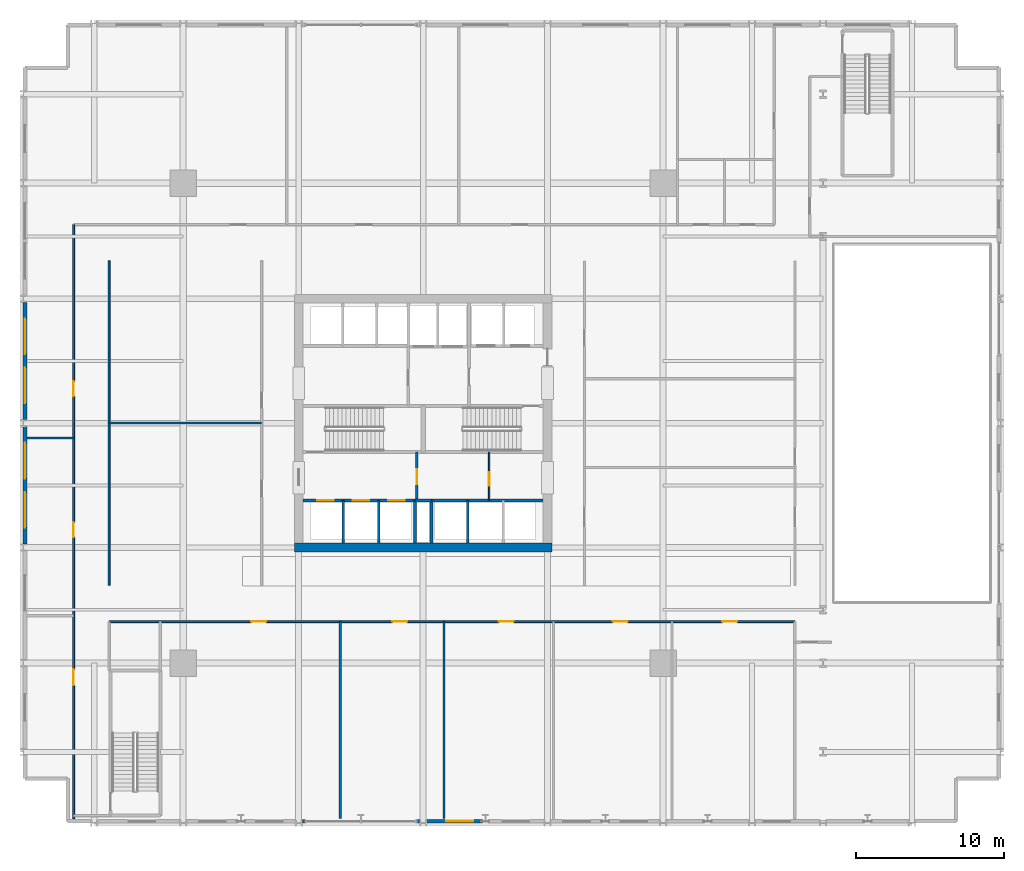
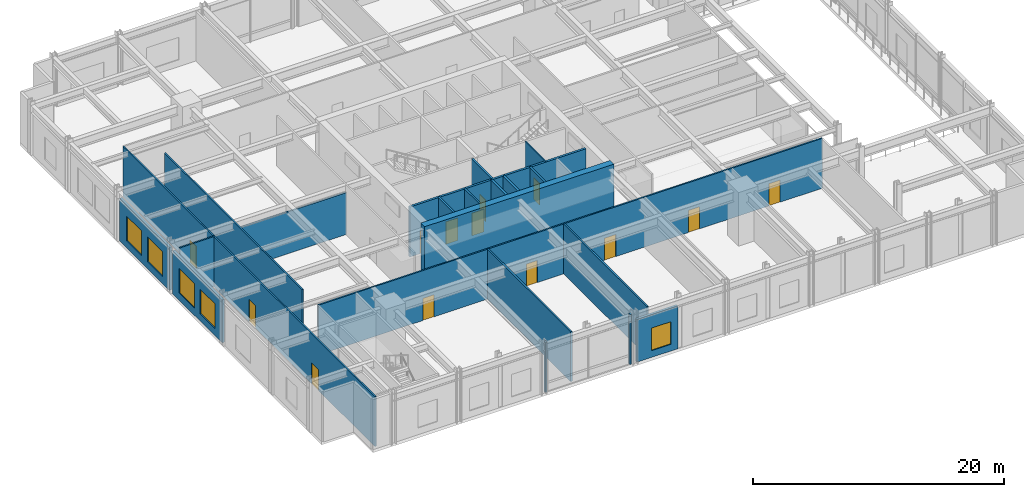
# One storey, part 11 of 21: 23 walls, 13 doors, 5 windows, 18 openings.
"""IFC4 building model written with IfcOpenShell, lengths in metres."""

from ifc_helpers import new_model, si_unit, direction, frame, frame_2d, origin, place, context, subcontext, project, spatial, rectangle, extrude, material, layer, layer_set, type_object, element, fill, save


model = new_model("IFC4")

# Units and contexts
model_context = context("Model", 3, precision=1e-05, world=origin(), true_north=direction((0.0, 1.0)))
body_context = subcontext(model_context, "Body", "Model", "MODEL_VIEW")
ifc_project = project(units=[si_unit("LENGTHUNIT", "METRE"), si_unit("AREAUNIT", "SQUARE_METRE"), si_unit("VOLUMEUNIT", "CUBIC_METRE"), si_unit("PLANEANGLEUNIT", "RADIAN"), si_unit("MASSUNIT", "GRAM", prefix="KILO")], contexts=[model_context])

# Site, building, storey
site_placement = place(None, origin())
site = spatial("IfcSite", under=ifc_project, at=site_placement, CompositionType="ELEMENT")
building_placement = place(site_placement, origin())
building = spatial("IfcBuilding", under=site, at=building_placement, Name="Drelvath Grand Hotel", CompositionType="ELEMENT")
storey_placement = place(building_placement, frame((0.0, 0.0, 22.39990234375)))
storey = spatial("IfcBuildingStorey", under=building, at=storey_placement, Name="L04", CompositionType="ELEMENT", Elevation=22.39990234375)

# Wall, opening, door
ifc_material_1 = material(Name="Gypsum Partition Board")
ifc_layer_1 = layer(ifc_material_1, 0.10009765625)
ifc_layer_set_1 = layer_set([ifc_layer_1], Name="Gypsum Partition Board")
wall_type_1 = type_object("IfcWallType", Name="Core Closet Partition 100", PredefinedType="PARTITIONING", material=ifc_layer_set_1)
wall_1_placement = place(storey_placement, frame((4.4599609375, 21.780029296875, 0.0), z_axis=(0.0, 0.0, 1.0), x_axis=(0.0, 1.0, 0.0)))
wall_1 = element("IfcWall", 1, at=wall_1_placement, inside=storey, type_object=wall_type_1, Name="L04 Housekeeping Split Wall", PredefinedType="PARTITIONING", context=body_context, shape_type="SweptSolid", body=[
    extrude(rectangle(XDim=3.260009765625, YDim=0.10009765625, at=frame_2d((1.6298828125, 0.0))), origin(), (0.0, 0.0, 1.0), 4.85009765625),
])
opening_1_placement = place(wall_1_placement, frame((1.0, 0.0, 0.0)))
opening_1 = element("IfcOpeningElement", 2, at=opening_1_placement, cuts=wall_1, Name="Opening D-L04-015", PredefinedType="OPENING", context=body_context, shape_type="SweptSolid", body=[
    extrude(rectangle(XDim=0.919921875, YDim=2.10009765625, at=frame_2d((0.4599609375, 1.050048828125))), frame((0.0, 0.06005859375, 0.0), z_axis=(0.0, -1.0, 0.0), x_axis=(1.0, 0.0, 0.0)), (0.0, 0.0, 1.0), 0.1201171875),
])
ifc_material_2 = material(Name="Painted Steel S275", Category="steel")
door_type_1 = type_object("IfcDoorType", Name="Staff Utility Door 920x2100", OperationType="NOTDEFINED", PredefinedType="DOOR", material=ifc_material_2)
door_1_placement = place(opening_1_placement, origin())
door_1 = element("IfcDoor", 3, at=door_1_placement, inside=storey, type_object=door_type_1, Name="L04 Core Store Door", OperationType="SINGLE_SWING_RIGHT", OverallHeight=2.10009765625, OverallWidth=0.919921875, PredefinedType="DOOR", context=body_context, shape_type="SweptSolid", body=[
    extrude(rectangle(XDim=0.919921875, YDim=2.10009765625, at=frame_2d((0.4599609375, 1.050048828125))), frame((0.0, 0.02490234375, 0.0), z_axis=(0.0, -1.0, 0.0), x_axis=(1.0, 0.0, 0.0)), (0.0, 0.0, 1.0), 0.050048828125),
])
fill(opening_1, door_1)

# Wall, openings, doors
ifc_material_3 = material(Name="Concrete C40/50", Category="concrete")
ifc_layer_2 = layer(ifc_material_3, 0.199951171875)
ifc_layer_set_2 = layer_set([ifc_layer_2], Name="Concrete C40/50")
wall_type_2 = type_object("IfcWallType", Name="Core Hoistway Fire Wall 200", PredefinedType="SOLIDWALL", material=ifc_layer_set_2)
wall_2_placement = place(storey_placement, frame((-0.550048828125, 21.780029296875, 0.0), z_axis=(0.0, 0.0, 1.0), x_axis=(-1.0, 0.0, 0.0)))
wall_2 = element("IfcWall", 4, at=wall_2_placement, inside=storey, type_object=wall_type_2, Name="L04 Bank 1 Hoistway Wall", PredefinedType="SOLIDWALL", context=body_context, shape_type="SweptSolid", body=[
    extrude(rectangle(XDim=7.550048828125, YDim=0.199951171875, at=frame_2d((3.77490234375, 0.0))), origin(), (0.0, 0.0, 1.0), 4.85009765625),
])
opening_2_placement = place(wall_2_placement, frame((5.5, 0.0, 0.0)))
opening_2 = element("IfcOpeningElement", 5, at=opening_2_placement, cuts=wall_2, Name="Opening LD-PE-1", PredefinedType="OPENING", context=body_context, shape_type="SweptSolid", body=[
    extrude(rectangle(XDim=1.10009765625, YDim=2.199951171875, at=frame_2d((0.550048828125, 1.10009765625))), frame((0.0, 0.10986328125, 0.0), z_axis=(0.0, -1.0, 0.0), x_axis=(1.0, 0.0, 0.0)), (0.0, 0.0, 1.0), 0.219970703125),
])
opening_3_placement = place(wall_2_placement, frame((3.10009765625, 0.0, 0.0)))
opening_3 = element("IfcOpeningElement", 6, at=opening_3_placement, cuts=wall_2, Name="Opening LD-PE-2", PredefinedType="OPENING", context=body_context, shape_type="SweptSolid", body=[
    extrude(rectangle(XDim=1.10009765625, YDim=2.199951171875, at=frame_2d((0.550048828125, 1.10009765625))), frame((0.0, 0.10986328125, 0.0), z_axis=(0.0, -1.0, 0.0), x_axis=(1.0, 0.0, 0.0)), (0.0, 0.0, 1.0), 0.219970703125),
])
opening_4_placement = place(wall_2_placement, frame((0.699951171875, 0.0, 0.0)))
opening_4 = element("IfcOpeningElement", 7, at=opening_4_placement, cuts=wall_2, Name="Opening LD-PE-3", PredefinedType="OPENING", context=body_context, shape_type="SweptSolid", body=[
    extrude(rectangle(XDim=1.10009765625, YDim=2.199951171875, at=frame_2d((0.550048828125, 1.10009765625))), frame((0.0, 0.10986328125, 0.0), z_axis=(0.0, -1.0, 0.0), x_axis=(1.0, 0.0, 0.0)), (0.0, 0.0, 1.0), 0.219970703125),
])
ifc_material_4 = material(Name="Stainless Steel S355", Category="steel")
door_type_2 = type_object("IfcDoorType", Name="Passenger Lift Sliding Landing Door 1100x2200", OperationType="NOTDEFINED", PredefinedType="DOOR", material=ifc_material_4)
door_2_placement = place(opening_2_placement, origin())
door_2 = element("IfcDoor", 8, at=door_2_placement, inside=storey, type_object=door_type_2, Name="L04 Lift PE-1 Landing Door", OperationType="SLIDING_TO_LEFT", OverallHeight=2.199951171875, OverallWidth=1.10009765625, PredefinedType="DOOR", context=body_context, shape_type="SweptSolid", body=[
    extrude(rectangle(XDim=1.10009765625, YDim=2.199951171875, at=frame_2d((0.550048828125, 1.10009765625))), frame((0.0, 0.02490234375, 0.0), z_axis=(0.0, -1.0, 0.0), x_axis=(1.0, 0.0, 0.0)), (0.0, 0.0, 1.0), 0.050048828125),
])
fill(opening_2, door_2)
door_3_placement = place(opening_3_placement, origin())
door_3 = element("IfcDoor", 9, at=door_3_placement, inside=storey, type_object=door_type_2, Name="L04 Lift PE-2 Landing Door", OperationType="SLIDING_TO_LEFT", OverallHeight=2.199951171875, OverallWidth=1.10009765625, PredefinedType="DOOR", context=body_context, shape_type="SweptSolid", body=[
    extrude(rectangle(XDim=1.10009765625, YDim=2.199951171875, at=frame_2d((0.550048828125, 1.10009765625))), frame((0.0, 0.02490234375, 0.0), z_axis=(0.0, -1.0, 0.0), x_axis=(1.0, 0.0, 0.0)), (0.0, 0.0, 1.0), 0.050048828125),
])
fill(opening_3, door_3)
door_4_placement = place(opening_4_placement, origin())
door_4 = element("IfcDoor", 10, at=door_4_placement, inside=storey, type_object=door_type_2, Name="L04 Lift PE-3 Landing Door", OperationType="SLIDING_TO_LEFT", OverallHeight=2.199951171875, OverallWidth=1.10009765625, PredefinedType="DOOR", context=body_context, shape_type="SweptSolid", body=[
    extrude(rectangle(XDim=1.10009765625, YDim=2.199951171875, at=frame_2d((0.550048828125, 1.10009765625))), frame((0.0, 0.02490234375, 0.0), z_axis=(0.0, -1.0, 0.0), x_axis=(1.0, 0.0, 0.0)), (0.0, 0.0, 1.0), 0.050048828125),
])
fill(opening_4, door_4)

# Walls
wall_3_placement = place(storey_placement, frame((-0.550048828125, 18.89990234375, 0.0), z_axis=(0.0, 0.0, 1.0), x_axis=(0.0, 1.0, 0.0)))
element("IfcWall", 11, at=wall_3_placement, inside=storey, type_object=wall_type_2, Name="L04 Bank 1 East Wall", PredefinedType="SOLIDWALL", context=body_context, shape_type="SweptSolid", body=[
    extrude(rectangle(XDim=2.880126953125, YDim=0.199951171875, at=frame_2d((1.43994140625, 0.0))), origin(), (0.0, 0.0, 1.0), 4.85009765625),
])
wall_4_placement = place(storey_placement, frame((8.10009765625, 21.780029296875, 0.0), z_axis=(0.0, 0.0, 1.0), x_axis=(-1.0, 0.0, 0.0)))
element("IfcWall", 12, at=wall_4_placement, inside=storey, type_object=wall_type_2, Name="L04 Bank 2 Hoistway Wall", PredefinedType="SOLIDWALL", context=body_context, shape_type="SweptSolid", body=[
    extrude(rectangle(XDim=7.550048828125, YDim=0.199951171875, at=frame_2d((3.77490234375, 0.0))), origin(), (0.0, 0.0, 1.0), 4.85009765625),
])
wall_5_placement = place(storey_placement, frame((0.550048828125, 18.89990234375, 0.0), z_axis=(0.0, 0.0, 1.0), x_axis=(0.0, 1.0, 0.0)))
element("IfcWall", 13, at=wall_5_placement, inside=storey, type_object=wall_type_2, Name="L04 Bank 2 West Wall", PredefinedType="SOLIDWALL", context=body_context, shape_type="SweptSolid", body=[
    extrude(rectangle(XDim=2.880126953125, YDim=0.199951171875, at=frame_2d((1.43994140625, 0.0))), origin(), (0.0, 0.0, 1.0), 4.85009765625),
])
wall_6_placement = place(storey_placement, frame((-0.550048828125, 21.780029296875, 0.0), z_axis=(0.0, 0.0, 1.0), x_axis=(1.0, 0.0, 0.0)))
element("IfcWall", 14, at=wall_6_placement, inside=storey, type_object=wall_type_2, Name="L04 Core Riser Wall", PredefinedType="SOLIDWALL", context=body_context, shape_type="SweptSolid", body=[
    extrude(rectangle(XDim=1.10009765625, YDim=0.199951171875, at=frame_2d((0.550048828125, 0.0))), origin(), (0.0, 0.0, 1.0), 4.85009765625),
])
ifc_material_5 = material(Name="Gypsum Fireboard Partition")
ifc_layer_3 = layer(ifc_material_5, 0.1650390625)
ifc_layer_set_3 = layer_set([ifc_layer_3], Name="Gypsum Fireboard Partition")
wall_type_3 = type_object("IfcWallType", Name="Core Shaft Partition 165", PredefinedType="PARTITIONING", material=ifc_layer_set_3)
for number, where, z_axis, x_axis, name in (
    (15, (-5.39990234375, 18.89990234375, 0.0), (0.0, 0.0, 1.0), (0.0, 1.0, 0.0), "L04 Lift PE-1/2 Divider"),
    (16, (-3.0, 18.89990234375, 0.0), (0.0, 0.0, 1.0), (0.0, 1.0, 0.0), "L04 Lift PE-2/3 Divider"),
    (17, (3.0, 18.89990234375, 0.0), (0.0, 0.0, 1.0), (0.0, 1.0, 0.0), "L04 Lift PE-4/5 Divider"),
):
    element("IfcWall", number, at=place(storey_placement, frame(where, z_axis=z_axis, x_axis=x_axis)), inside=storey, type_object=wall_type_3, Name=name, PredefinedType="PARTITIONING", context=body_context, shape_type="SweptSolid", body=[
        extrude(rectangle(XDim=2.880126953125, YDim=0.1650390625, at=frame_2d((1.43994140625, 0.0))), origin(), (0.0, 0.0, 1.0), 4.85009765625),
    ])

# Wall, openings, doors
ifc_layer_4 = layer(ifc_material_5, 0.135009765625)
ifc_layer_set_4 = layer_set([ifc_layer_4], Name="Gypsum Fireboard Partition")
wall_type_4 = type_object("IfcWallType", Name="Corridor Fire Barrier Wall 135", PredefinedType="PARTITIONING", material=ifc_layer_set_4)
wall_7_placement = place(storey_placement, frame((-21.199951171875, 13.60009765625, 0.0), z_axis=(0.0, 0.0, 1.0), x_axis=(1.0, 0.0, 0.0)))
wall_7 = element("IfcWall", 18, at=wall_7_placement, inside=storey, type_object=wall_type_4, Name="L04 South Gallery Wall", PredefinedType="PARTITIONING", context=body_context, shape_type="SweptSolid", body=[
    extrude(rectangle(XDim=46.300048828125, YDim=0.135009765625, at=frame_2d((23.14990234375, 0.0))), origin(), (0.0, 0.0, 1.0), 4.85009765625),
])
opening_5_placement = place(wall_7_placement, frame((9.60009765625, 0.0, 0.0)))
opening_5 = element("IfcOpeningElement", 19, at=opening_5_placement, cuts=wall_7, Name="Opening D-L04-025", PredefinedType="OPENING", context=body_context, shape_type="SweptSolid", body=[
    extrude(rectangle(XDim=1.02001953125, YDim=2.14990234375, at=frame_2d((0.510009765625, 1.074951171875))), frame((0.0, 0.077392578125, 0.0), z_axis=(0.0, -1.0, 0.0), x_axis=(1.0, 0.0, 0.0)), (0.0, 0.0, 1.0), 0.155029296875),
])
opening_6_placement = place(wall_7_placement, frame((19.10009765625, 0.0, 0.0)))
opening_6 = element("IfcOpeningElement", 20, at=opening_6_placement, cuts=wall_7, Name="Opening D-L04-026", PredefinedType="OPENING", context=body_context, shape_type="SweptSolid", body=[
    extrude(rectangle(XDim=1.02001953125, YDim=2.14990234375, at=frame_2d((0.510009765625, 1.074951171875))), frame((0.0, 0.077392578125, 0.0), z_axis=(0.0, -1.0, 0.0), x_axis=(1.0, 0.0, 0.0)), (0.0, 0.0, 1.0), 0.155029296875),
])
opening_7_placement = place(wall_7_placement, frame((26.300048828125, 0.0, 0.0)))
opening_7 = element("IfcOpeningElement", 21, at=opening_7_placement, cuts=wall_7, Name="Opening D-L04-027", PredefinedType="OPENING", context=body_context, shape_type="SweptSolid", body=[
    extrude(rectangle(XDim=1.02001953125, YDim=2.14990234375, at=frame_2d((0.510009765625, 1.074951171875))), frame((0.0, 0.077392578125, 0.0), z_axis=(0.0, -1.0, 0.0), x_axis=(1.0, 0.0, 0.0)), (0.0, 0.0, 1.0), 0.155029296875),
])
opening_8_placement = place(wall_7_placement, frame((34.0, 0.0, 0.0)))
opening_8 = element("IfcOpeningElement", 22, at=opening_8_placement, cuts=wall_7, Name="Opening D-L04-028", PredefinedType="OPENING", context=body_context, shape_type="SweptSolid", body=[
    extrude(rectangle(XDim=1.02001953125, YDim=2.14990234375, at=frame_2d((0.510009765625, 1.074951171875))), frame((0.0, 0.077392578125, 0.0), z_axis=(0.0, -1.0, 0.0), x_axis=(1.0, 0.0, 0.0)), (0.0, 0.0, 1.0), 0.155029296875),
])
opening_9_placement = place(wall_7_placement, frame((41.39990234375, 0.0, 0.0)))
opening_9 = element("IfcOpeningElement", 23, at=opening_9_placement, cuts=wall_7, Name="Opening D-L04-029", PredefinedType="OPENING", context=body_context, shape_type="SweptSolid", body=[
    extrude(rectangle(XDim=1.02001953125, YDim=2.14990234375, at=frame_2d((0.510009765625, 1.074951171875))), frame((0.0, 0.077392578125, 0.0), z_axis=(0.0, -1.0, 0.0), x_axis=(1.0, 0.0, 0.0)), (0.0, 0.0, 1.0), 0.155029296875),
])
ifc_material_6 = material(Name="Hardwood Walnut Timber", Category="wood")
door_type_3 = type_object("IfcDoorType", Name="Amenity Meeting Fire Door 1020x2150", OperationType="NOTDEFINED", PredefinedType="DOOR", material=ifc_material_6)
door_5_placement = place(opening_5_placement, origin())
door_5 = element("IfcDoor", 24, at=door_5_placement, inside=storey, type_object=door_type_3, Name="L04 Hudson Conference Door", OperationType="SINGLE_SWING_RIGHT", OverallHeight=2.14990234375, OverallWidth=1.02001953125, PredefinedType="DOOR", context=body_context, shape_type="SweptSolid", body=[
    extrude(rectangle(XDim=1.02001953125, YDim=2.14990234375, at=frame_2d((0.510009765625, 1.074951171875))), frame((0.0, 0.02490234375, 0.0), z_axis=(0.0, -1.0, 0.0), x_axis=(1.0, 0.0, 0.0)), (0.0, 0.0, 1.0), 0.050048828125),
])
fill(opening_5, door_5)
door_6_placement = place(opening_6_placement, origin())
door_6 = element("IfcDoor", 25, at=door_6_placement, inside=storey, type_object=door_type_3, Name="L04 Midtown Boardroom Door", OperationType="SINGLE_SWING_LEFT", OverallHeight=2.14990234375, OverallWidth=1.02001953125, PredefinedType="DOOR", context=body_context, shape_type="SweptSolid", body=[
    extrude(rectangle(XDim=1.02001953125, YDim=2.14990234375, at=frame_2d((0.510009765625, 1.074951171875))), frame((0.0, 0.02490234375, 0.0), z_axis=(0.0, -1.0, 0.0), x_axis=(1.0, 0.0, 0.0)), (0.0, 0.0, 1.0), 0.050048828125),
])
fill(opening_6, door_6)
door_7_placement = place(opening_7_placement, origin())
door_7 = element("IfcDoor", 26, at=door_7_placement, inside=storey, type_object=door_type_3, Name="L04 Lexington Seminar Door", OperationType="SINGLE_SWING_RIGHT", OverallHeight=2.14990234375, OverallWidth=1.02001953125, PredefinedType="DOOR", context=body_context, shape_type="SweptSolid", body=[
    extrude(rectangle(XDim=1.02001953125, YDim=2.14990234375, at=frame_2d((0.510009765625, 1.074951171875))), frame((0.0, 0.02490234375, 0.0), z_axis=(0.0, -1.0, 0.0), x_axis=(1.0, 0.0, 0.0)), (0.0, 0.0, 1.0), 0.050048828125),
])
fill(opening_7, door_7)
door_8_placement = place(opening_8_placement, origin())
door_8 = element("IfcDoor", 27, at=door_8_placement, inside=storey, type_object=door_type_3, Name="L04 Gramercy Briefing Door", OperationType="SINGLE_SWING_LEFT", OverallHeight=2.14990234375, OverallWidth=1.02001953125, PredefinedType="DOOR", context=body_context, shape_type="SweptSolid", body=[
    extrude(rectangle(XDim=1.02001953125, YDim=2.14990234375, at=frame_2d((0.510009765625, 1.074951171875))), frame((0.0, 0.02490234375, 0.0), z_axis=(0.0, -1.0, 0.0), x_axis=(1.0, 0.0, 0.0)), (0.0, 0.0, 1.0), 0.050048828125),
])
fill(opening_8, door_8)
door_9_placement = place(opening_9_placement, origin())
door_9 = element("IfcDoor", 28, at=door_9_placement, inside=storey, type_object=door_type_3, Name="L04 Business Center Door", OperationType="SINGLE_SWING_RIGHT", OverallHeight=2.14990234375, OverallWidth=1.02001953125, PredefinedType="DOOR", context=body_context, shape_type="SweptSolid", body=[
    extrude(rectangle(XDim=1.02001953125, YDim=2.14990234375, at=frame_2d((0.510009765625, 1.074951171875))), frame((0.0, 0.02490234375, 0.0), z_axis=(0.0, -1.0, 0.0), x_axis=(1.0, 0.0, 0.0)), (0.0, 0.0, 1.0), 0.050048828125),
])
fill(opening_9, door_9)

# Wall
wall_8_placement = place(storey_placement, frame((-21.199951171875, 16.0400390625, 0.0), z_axis=(0.0, 0.0, 1.0), x_axis=(0.0, 1.0, 0.0)))
element("IfcWall", 29, at=wall_8_placement, inside=storey, type_object=wall_type_4, Name="L04 ST-3 Spur North-East Wall", PredefinedType="PARTITIONING", context=body_context, shape_type="SweptSolid", body=[
    extrude(rectangle(XDim=21.919921875, YDim=0.135009765625, at=frame_2d((10.9599609375, 0.0))), origin(), (0.0, 0.0, 1.0), 4.85009765625),
])

# Wall, openings, doors
wall_9_placement = place(storey_placement, frame((-23.60009765625, 0.300048828125, 0.0), z_axis=(0.0, 0.0, 1.0), x_axis=(0.0, 1.0, 0.0)))
wall_9 = element("IfcWall", 30, at=wall_9_placement, inside=storey, type_object=wall_type_4, Name="L04 West Wing Corridor Wall", PredefinedType="PARTITIONING", context=body_context, shape_type="SweptSolid", body=[
    extrude(rectangle(XDim=40.099853515625, YDim=0.135009765625, at=frame_2d((20.0498046875, 0.0))), origin(), (0.0, 0.0, 1.0), 4.85009765625),
])
opening_10_placement = place(wall_9_placement, frame((19.0, 0.0, 0.0)))
opening_10 = element("IfcOpeningElement", 31, at=opening_10_placement, cuts=wall_9, Name="Opening D-L04-033", PredefinedType="OPENING", context=body_context, shape_type="SweptSolid", body=[
    extrude(rectangle(XDim=1.02001953125, YDim=2.14990234375, at=frame_2d((0.510009765625, 1.074951171875))), frame((0.0, 0.077392578125, 0.0), z_axis=(0.0, -1.0, 0.0), x_axis=(1.0, 0.0, 0.0)), (0.0, 0.0, 1.0), 0.155029296875),
])
opening_11_placement = place(wall_9_placement, frame((28.5, 0.0, 0.0)))
opening_11 = element("IfcOpeningElement", 32, at=opening_11_placement, cuts=wall_9, Name="Opening D-L04-034", PredefinedType="OPENING", context=body_context, shape_type="SweptSolid", body=[
    extrude(rectangle(XDim=1.02001953125, YDim=2.14990234375, at=frame_2d((0.510009765625, 1.074951171875))), frame((0.0, 0.077392578125, 0.0), z_axis=(0.0, -1.0, 0.0), x_axis=(1.0, 0.0, 0.0)), (0.0, 0.0, 1.0), 0.155029296875),
])
opening_12_placement = place(wall_9_placement, frame((9.0, 0.0, 0.0)))
opening_12 = element("IfcOpeningElement", 33, at=opening_12_placement, cuts=wall_9, Name="Opening D-L04-036", PredefinedType="OPENING", context=body_context, shape_type="SweptSolid", body=[
    extrude(rectangle(XDim=1.080078125, YDim=2.0400390625, at=frame_2d((0.5400390625, 1.02001953125))), frame((0.0, 0.077392578125, 0.0), z_axis=(0.0, -1.0, 0.0), x_axis=(1.0, 0.0, 0.0)), (0.0, 0.0, 1.0), 0.155029296875),
])
door_10_placement = place(opening_10_placement, origin())
door_10 = element("IfcDoor", 34, at=door_10_placement, inside=storey, type_object=door_type_3, Name="L04 Press Briefing Door", OperationType="SINGLE_SWING_RIGHT", OverallHeight=2.14990234375, OverallWidth=1.02001953125, PredefinedType="DOOR", context=body_context, shape_type="SweptSolid", body=[
    extrude(rectangle(XDim=1.02001953125, YDim=2.14990234375, at=frame_2d((0.510009765625, 1.074951171875))), frame((0.0, 0.02490234375, 0.0), z_axis=(0.0, -1.0, 0.0), x_axis=(1.0, 0.0, 0.0)), (0.0, 0.0, 1.0), 0.050048828125),
])
fill(opening_10, door_10)
door_11_placement = place(opening_11_placement, origin())
door_11 = element("IfcDoor", 35, at=door_11_placement, inside=storey, type_object=door_type_3, Name="L04 Secretariat Office Door", OperationType="SINGLE_SWING_LEFT", OverallHeight=2.14990234375, OverallWidth=1.02001953125, PredefinedType="DOOR", context=body_context, shape_type="SweptSolid", body=[
    extrude(rectangle(XDim=1.02001953125, YDim=2.14990234375, at=frame_2d((0.510009765625, 1.074951171875))), frame((0.0, 0.02490234375, 0.0), z_axis=(0.0, -1.0, 0.0), x_axis=(1.0, 0.0, 0.0)), (0.0, 0.0, 1.0), 0.050048828125),
])
fill(opening_11, door_11)
door_type_4 = type_object("IfcDoorType", Name="Core Corridor Fire Door 1080x2100", OperationType="NOTDEFINED", PredefinedType="DOOR", material=ifc_material_2)
door_12_placement = place(opening_12_placement, origin())
door_12 = element("IfcDoor", 36, at=door_12_placement, inside=storey, type_object=door_type_4, Name="L04 West Wing South Door", OperationType="SINGLE_SWING_LEFT", OverallHeight=2.0400390625, OverallWidth=1.080078125, PredefinedType="DOOR", context=body_context, shape_type="SweptSolid", body=[
    extrude(rectangle(XDim=1.080078125, YDim=2.0400390625, at=frame_2d((0.5400390625, 1.02001953125))), frame((0.0, 0.02490234375, 0.0), z_axis=(0.0, -1.0, 0.0), x_axis=(1.0, 0.0, 0.0)), (0.0, 0.0, 1.0), 0.050048828125),
])
fill(opening_12, door_12)

# Wall, opening, door
ifc_layer_5 = layer(ifc_material_5, 0.179931640625)
ifc_layer_set_5 = layer_set([ifc_layer_5], Name="Gypsum Fireboard Partition")
wall_type_5 = type_object("IfcWallType", Name="FSAE Smoke Lobby Fire Wall 180", PredefinedType="SOLIDWALL", material=ifc_layer_set_5)
wall_10_placement = place(storey_placement, frame((-0.419921875, 21.780029296875, 0.0), z_axis=(0.0, 0.0, 1.0), x_axis=(0.0, 1.0, 0.0)))
wall_10 = element("IfcWall", 37, at=wall_10_placement, inside=storey, type_object=wall_type_5, Name="L04 Low-Rise Lobby East Wall", PredefinedType="SOLIDWALL", context=body_context, shape_type="SweptSolid", body=[
    extrude(rectangle(XDim=3.260009765625, YDim=0.179931640625, at=frame_2d((1.6298828125, 0.0))), origin(), (0.0, 0.0, 1.0), 4.85009765625),
])
opening_13_placement = place(wall_10_placement, frame((1.10009765625, 0.0, 0.0)))
opening_13 = element("IfcOpeningElement", 38, at=opening_13_placement, cuts=wall_10, Name="Opening D-L04-013", PredefinedType="OPENING", context=body_context, shape_type="SweptSolid", body=[
    extrude(rectangle(XDim=1.0, YDim=2.10009765625, at=frame_2d((0.5, 1.050048828125))), frame((0.0, 0.099853515625, 0.0), z_axis=(0.0, -1.0, 0.0), x_axis=(1.0, 0.0, 0.0)), (0.0, 0.0, 1.0), 0.199951171875),
])
door_type_5 = type_object("IfcDoorType", Name="Core Service Fire Door 1000x2100", OperationType="NOTDEFINED", PredefinedType="DOOR", material=ifc_material_2)
door_13_placement = place(opening_13_placement, origin())
door_13 = element("IfcDoor", 39, at=door_13_placement, inside=storey, type_object=door_type_5, Name="L04 Housekeeping Entry Door", OperationType="SINGLE_SWING_RIGHT", OverallHeight=2.10009765625, OverallWidth=1.0, PredefinedType="DOOR", context=body_context, shape_type="SweptSolid", body=[
    extrude(rectangle(XDim=1.0, YDim=2.10009765625, at=frame_2d((0.5, 1.050048828125))), frame((0.0, 0.02490234375, 0.0), z_axis=(0.0, -1.0, 0.0), x_axis=(1.0, 0.0, 0.0)), (0.0, 0.0, 1.0), 0.050048828125),
])
fill(opening_13, door_13)

# Walls
ifc_material_7 = material(Name="Gypsum Acoustic Partition")
ifc_layer_6 = layer(ifc_material_7, 0.14990234375)
ifc_layer_set_6 = layer_set([ifc_layer_6], Name="Gypsum Acoustic Partition")
wall_type_6 = type_object("IfcWallType", Name="Guestroom Demising Wall 150", PredefinedType="PARTITIONING", material=ifc_layer_set_6)
for number, where, z_axis, x_axis, name in (
    (40, (-5.60009765625, 0.300048828125, 0.0), (0.0, 0.0, 1.0), (0.0, 1.0, 0.0), "L04 L04 South Split -5.6"),
    (41, (1.39990234375, 0.300048828125, 0.0), (0.0, 0.0, 1.0), (0.0, 1.0, 0.0), "L04 L04 South Split 1.4"),
):
    element("IfcWall", number, at=place(storey_placement, frame(where, z_axis=z_axis, x_axis=x_axis)), inside=storey, type_object=wall_type_6, Name=name, PredefinedType="PARTITIONING", context=body_context, shape_type="SweptSolid", body=[
        extrude(rectangle(XDim=13.300048828125, YDim=0.14990234375, at=frame_2d((6.64990234375, 0.0))), origin(), (0.0, 0.0, 1.0), 4.85009765625),
    ])
wall_11_placement = place(storey_placement, frame((-26.760009765625, 26.0, 0.0), z_axis=(0.0, 0.0, 1.0), x_axis=(1.0, 0.0, 0.0)))
element("IfcWall", 42, at=wall_11_placement, inside=storey, type_object=wall_type_6, Name="L04 L04 West Split 2", PredefinedType="PARTITIONING", context=body_context, shape_type="SweptSolid", body=[
    extrude(rectangle(XDim=3.159912109375, YDim=0.14990234375, at=frame_2d((1.580078125, 0.0))), origin(), (0.0, 0.0, 1.0), 4.85009765625),
])
wall_12_placement = place(storey_placement, frame((-21.199951171875, 27.0, 0.0), z_axis=(0.0, 0.0, 1.0), x_axis=(1.0, 0.0, 0.0)))
element("IfcWall", 43, at=wall_12_placement, inside=storey, type_object=wall_type_6, Name="L04 L04 Center-West Split", PredefinedType="PARTITIONING", context=body_context, shape_type="SweptSolid", body=[
    extrude(rectangle(XDim=10.300048828125, YDim=0.14990234375, at=frame_2d((5.14990234375, 0.0))), origin(), (0.0, 0.0, 1.0), 4.06201171875),
])
ifc_material_8 = material(Name="Concrete f'c 70 MPa", Category="concrete")
ifc_layer_7 = layer(ifc_material_8, 0.60009765625)
ifc_layer_set_7 = layer_set([ifc_layer_7], Name="Concrete f'c 70 MPa")
wall_type_7 = type_object("IfcWallType", Name="Lower Core RC Shear Wall 600", PredefinedType="SHEAR", material=ifc_layer_set_7)
wall_13_placement = place(storey_placement, frame((8.699951171875, 18.60009765625, 0.0), z_axis=(0.0, 0.0, 1.0), x_axis=(-1.0, 0.0, 0.0)))
element("IfcWall", 44, at=wall_13_placement, inside=storey, type_object=wall_type_7, Name="L04 Central Core Shear Wall S", PredefinedType="SHEAR", context=body_context, shape_type="SweptSolid", body=[
    extrude(rectangle(XDim=17.39990234375, YDim=0.60009765625, at=frame_2d((8.699951171875, 0.0))), origin(), (0.0, 0.0, 1.0), 5.2001953125),
])

# Wall, openings, windows
ifc_material_9 = material(Name="Insulated Granite Rainscreen Assembly", Category="masonry")
ifc_layer_8 = layer(ifc_material_9, 0.239990234375)
ifc_layer_set_8 = layer_set([ifc_layer_8], Name="Insulated Granite Rainscreen Assembly")
wall_type_8 = type_object("IfcWallType", Name="Podium Granite Rainscreen Exterior Wall 240", PredefinedType="STANDARD", material=ifc_layer_set_8)
wall_14_placement = place(storey_placement, frame((-26.8798828125, 18.8408203125, 0.0), z_axis=(0.0, 0.0, 1.0), x_axis=(0.0, 1.0, 0.0)))
wall_14 = element("IfcWall", 45, at=wall_14_placement, inside=storey, type_object=wall_type_8, Name="L04 West Podium Granite Wall 4", PredefinedType="STANDARD", context=body_context, shape_type="SweptSolid", body=[
    extrude(rectangle(XDim=7.918212890625, YDim=0.239990234375, at=frame_2d((3.958984375, 0.0))), origin(), (0.0, 0.0, 1.0), 4.154541015625),
])
opening_14_placement = place(wall_14_placement, frame((1.10009765625, 0.0, 0.699951171875)))
opening_14 = element("IfcOpeningElement", 46, at=opening_14_placement, cuts=wall_14, Name="Opening W-01", PredefinedType="OPENING", context=body_context, shape_type="SweptSolid", body=[
    extrude(rectangle(XDim=2.39990234375, YDim=2.39990234375, at=frame_2d((1.199951171875, 1.199951171875))), frame((0.0, 0.1298828125, 0.0), z_axis=(0.0, -1.0, 0.0), x_axis=(1.0, 0.0, 0.0)), (0.0, 0.0, 1.0), 0.260009765625),
])
opening_15_placement = place(wall_14_placement, frame((4.418212890625, 0.0, 0.699951171875)))
opening_15 = element("IfcOpeningElement", 47, at=opening_15_placement, cuts=wall_14, Name="Opening W-01", PredefinedType="OPENING", context=body_context, shape_type="SweptSolid", body=[
    extrude(rectangle(XDim=2.39990234375, YDim=2.39990234375, at=frame_2d((1.199951171875, 1.199951171875))), frame((0.0, 0.1298828125, 0.0), z_axis=(0.0, -1.0, 0.0), x_axis=(1.0, 0.0, 0.0)), (0.0, 0.0, 1.0), 0.260009765625),
])
ifc_material_10 = material(Name="Bronze Anodised Low-E Triple Glazing", Category="glass")
window_type_1 = type_object("IfcWindowType", Name="Chicago Triple-Pane Podium Window 2400x2600", PartitioningType="TRIPLE_PANEL_VERTICAL", PredefinedType="WINDOW", material=ifc_material_10)
window_1_placement = place(opening_14_placement, origin())
window_1 = element("IfcWindow", 48, at=window_1_placement, inside=storey, type_object=window_type_1, Name="L04 West Podium Window 4-1", OverallHeight=2.39990234375, OverallWidth=2.39990234375, PartitioningType="SINGLE_PANEL", PredefinedType="WINDOW", context=body_context, shape_type="SweptSolid", body=[
    extrude(rectangle(XDim=2.39990234375, YDim=2.39990234375, at=frame_2d((1.199951171875, 1.199951171875))), frame((0.0, 0.030029296875, 0.0), z_axis=(0.0, -1.0, 0.0), x_axis=(1.0, 0.0, 0.0)), (0.0, 0.0, 1.0), 0.06005859375),
])
fill(opening_14, window_1)
window_2_placement = place(opening_15_placement, origin())
window_2 = element("IfcWindow", 49, at=window_2_placement, inside=storey, type_object=window_type_1, Name="L04 West Podium Window 4-2", OverallHeight=2.39990234375, OverallWidth=2.39990234375, PartitioningType="SINGLE_PANEL", PredefinedType="WINDOW", context=body_context, shape_type="SweptSolid", body=[
    extrude(rectangle(XDim=2.39990234375, YDim=2.39990234375, at=frame_2d((1.199951171875, 1.199951171875))), frame((0.0, 0.030029296875, 0.0), z_axis=(0.0, -1.0, 0.0), x_axis=(1.0, 0.0, 0.0)), (0.0, 0.0, 1.0), 0.06005859375),
])
fill(opening_15, window_2)

wall_15_placement = place(storey_placement, frame((-26.8798828125, 27.240966796875, 0.0), z_axis=(0.0, 0.0, 1.0), x_axis=(0.0, 1.0, 0.0)))
wall_15 = element("IfcWall", 50, at=wall_15_placement, inside=storey, type_object=wall_type_8, Name="L04 West Podium Granite Wall 5", PredefinedType="STANDARD", context=body_context, shape_type="SweptSolid", body=[
    extrude(rectangle(XDim=7.918212890625, YDim=0.239990234375, at=frame_2d((3.958984375, 0.0))), origin(), (0.0, 0.0, 1.0), 4.154541015625),
])
opening_16_placement = place(wall_15_placement, frame((1.10009765625, 0.0, 0.699951171875)))
opening_16 = element("IfcOpeningElement", 51, at=opening_16_placement, cuts=wall_15, Name="Opening W-01", PredefinedType="OPENING", context=body_context, shape_type="SweptSolid", body=[
    extrude(rectangle(XDim=2.39990234375, YDim=2.39990234375, at=frame_2d((1.199951171875, 1.199951171875))), frame((0.0, 0.1298828125, 0.0), z_axis=(0.0, -1.0, 0.0), x_axis=(1.0, 0.0, 0.0)), (0.0, 0.0, 1.0), 0.260009765625),
])
opening_17_placement = place(wall_15_placement, frame((4.418212890625, 0.0, 0.699951171875)))
opening_17 = element("IfcOpeningElement", 52, at=opening_17_placement, cuts=wall_15, Name="Opening W-01", PredefinedType="OPENING", context=body_context, shape_type="SweptSolid", body=[
    extrude(rectangle(XDim=2.39990234375, YDim=2.39990234375, at=frame_2d((1.199951171875, 1.199951171875))), frame((0.0, 0.1298828125, 0.0), z_axis=(0.0, -1.0, 0.0), x_axis=(1.0, 0.0, 0.0)), (0.0, 0.0, 1.0), 0.260009765625),
])
window_3_placement = place(opening_16_placement, origin())
window_3 = element("IfcWindow", 53, at=window_3_placement, inside=storey, type_object=window_type_1, Name="L04 West Podium Window 5-1", OverallHeight=2.39990234375, OverallWidth=2.39990234375, PartitioningType="SINGLE_PANEL", PredefinedType="WINDOW", context=body_context, shape_type="SweptSolid", body=[
    extrude(rectangle(XDim=2.39990234375, YDim=2.39990234375, at=frame_2d((1.199951171875, 1.199951171875))), frame((0.0, 0.030029296875, 0.0), z_axis=(0.0, -1.0, 0.0), x_axis=(1.0, 0.0, 0.0)), (0.0, 0.0, 1.0), 0.06005859375),
])
fill(opening_16, window_3)
window_4_placement = place(opening_17_placement, origin())
window_4 = element("IfcWindow", 54, at=window_4_placement, inside=storey, type_object=window_type_1, Name="L04 West Podium Window 5-2", OverallHeight=2.39990234375, OverallWidth=2.39990234375, PartitioningType="SINGLE_PANEL", PredefinedType="WINDOW", context=body_context, shape_type="SweptSolid", body=[
    extrude(rectangle(XDim=2.39990234375, YDim=2.39990234375, at=frame_2d((1.199951171875, 1.199951171875))), frame((0.0, 0.030029296875, 0.0), z_axis=(0.0, -1.0, 0.0), x_axis=(1.0, 0.0, 0.0)), (0.0, 0.0, 1.0), 0.06005859375),
])
fill(opening_17, window_4)

# Walls
wall_16_placement = place(storey_placement, frame((-8.0, 0.1201171875, 0.0), z_axis=(0.0, 0.0, 1.0), x_axis=(-1.0, 0.0, 0.0)))
element("IfcWall", 55, at=wall_16_placement, inside=storey, type_object=wall_type_8, Name="L04 South Podium Granite Wall 5", PredefinedType="STANDARD", context=body_context, shape_type="SweptSolid", body=[
    extrude(rectangle(XDim=0.1591796875, YDim=0.239990234375, at=frame_2d((0.07958984375, 0.0))), origin(), (0.0, 0.0, 1.0), 4.85009765625),
])
wall_17_placement = place(storey_placement, frame((-0.240966796875, 0.1201171875, 0.0), z_axis=(0.0, 0.0, 1.0), x_axis=(-1.0, 0.0, 0.0)))
element("IfcWall", 56, at=wall_17_placement, inside=storey, type_object=wall_type_8, Name="L04 South Podium Granite Wall 6", PredefinedType="STANDARD", context=body_context, shape_type="SweptSolid", body=[
    extrude(rectangle(XDim=0.158935546875, YDim=0.239990234375, at=frame_2d((0.07958984375, 0.0))), origin(), (0.0, 0.0, 1.0), 4.85009765625),
])

# Wall, opening, window
wall_18_placement = place(storey_placement, frame((4.00732421875, 0.1201171875, 0.0), z_axis=(0.0, 0.0, 1.0), x_axis=(-1.0, 0.0, 0.0)))
wall_18 = element("IfcWall", 57, at=wall_18_placement, inside=storey, type_object=wall_type_8, Name="L04 South Podium Granite Wall 7", PredefinedType="STANDARD", context=body_context, shape_type="SweptSolid", body=[
    extrude(rectangle(XDim=3.766357421875, YDim=0.239990234375, at=frame_2d((1.88330078125, 0.0))), origin(), (0.0, 0.0, 1.0), 4.154541015625),
])
opening_18_placement = place(wall_18_placement, frame((0.63330078125, 0.0, 0.64990234375)))
opening_18 = element("IfcOpeningElement", 58, at=opening_18_placement, cuts=wall_18, Name="Opening W-02", PredefinedType="OPENING", context=body_context, shape_type="SweptSolid", body=[
    extrude(rectangle(XDim=1.800048828125, YDim=2.199951171875, at=frame_2d((0.89990234375, 1.10009765625))), frame((0.0, 0.1298828125, 0.0), z_axis=(0.0, -1.0, 0.0), x_axis=(1.0, 0.0, 0.0)), (0.0, 0.0, 1.0), 0.260009765625),
])
window_type_2 = type_object("IfcWindowType", Name="Chicago Double-Pane Podium Window 1800x2400", PartitioningType="DOUBLE_PANEL_VERTICAL", PredefinedType="WINDOW", material=ifc_material_10)
window_5_placement = place(opening_18_placement, origin())
window_5 = element("IfcWindow", 59, at=window_5_placement, inside=storey, type_object=window_type_2, Name="L04 South Chicago Window 7", OverallHeight=2.199951171875, OverallWidth=1.800048828125, PartitioningType="SINGLE_PANEL", PredefinedType="WINDOW", context=body_context, shape_type="SweptSolid", body=[
    extrude(rectangle(XDim=1.800048828125, YDim=2.199951171875, at=frame_2d((0.89990234375, 1.10009765625))), frame((0.0, 0.030029296875, 0.0), z_axis=(0.0, -1.0, 0.0), x_axis=(1.0, 0.0, 0.0)), (0.0, 0.0, 1.0), 0.06005859375),
])
fill(opening_18, window_5)

save(model, "model.ifc")
